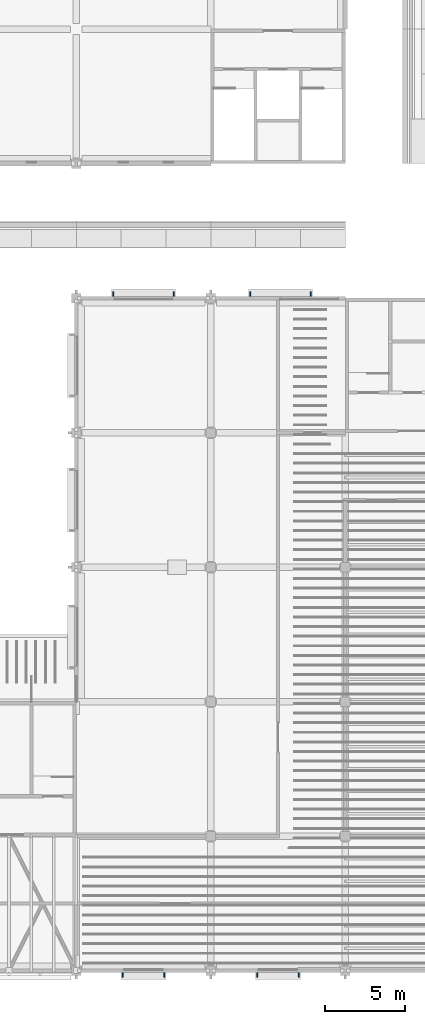
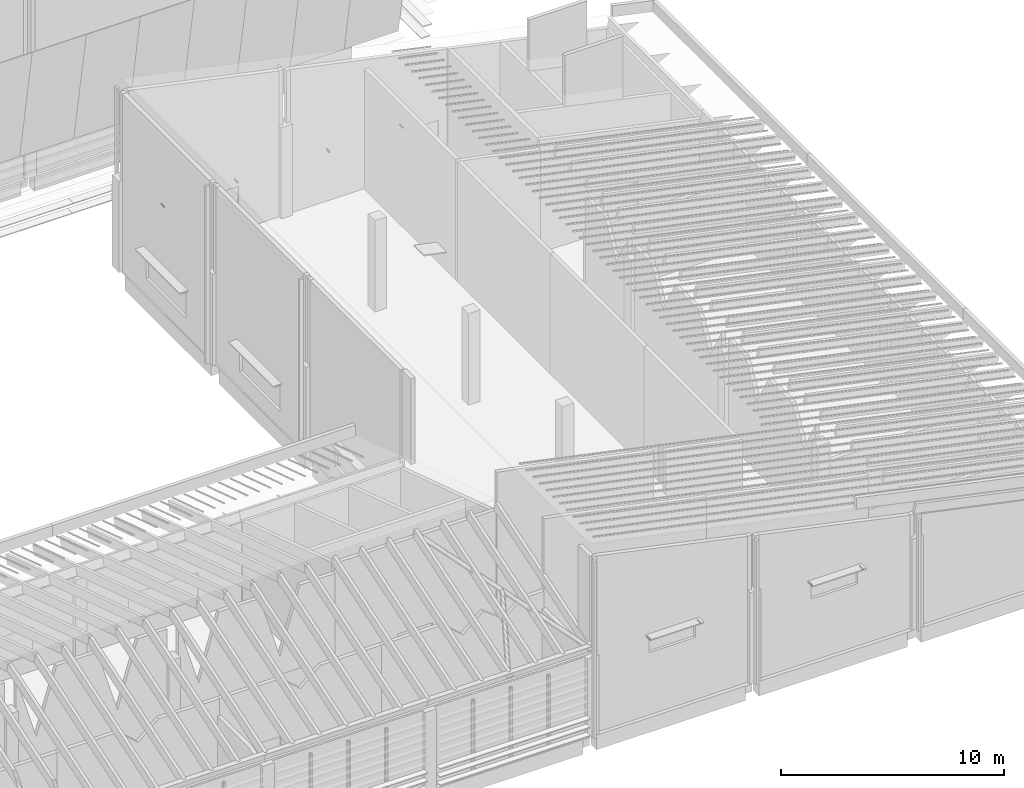
# One storey, part 34 of 59: 8 discrete accessories.
"""IFC4 building model written with IfcOpenShell, lengths in metres."""

from ifc_helpers import new_model, si_unit, direction, frame, origin, origin_2d, place, context, subcontext, project, spatial, rectangle, extrude, material, type_object, element, save


model = new_model("IFC4")

# Units and contexts
model_context = context("Model", 3, precision=1e-05, world=origin(), true_north=direction((0.0, 1.0)))
body_context = subcontext(model_context, "Body", "Model", "MODEL_VIEW")
ifc_project = project(units=[si_unit("LENGTHUNIT", "METRE"), si_unit("AREAUNIT", "SQUARE_METRE"), si_unit("VOLUMEUNIT", "CUBIC_METRE"), si_unit("PLANEANGLEUNIT", "RADIAN"), si_unit("MASSUNIT", "GRAM", prefix="KILO")], contexts=[model_context])

# Site, building, storey
site_placement = place(None, origin())
site = spatial("IfcSite", under=ifc_project, at=site_placement, CompositionType="ELEMENT")
building_placement = place(site_placement, origin())
building = spatial("IfcBuilding", under=site, at=building_placement, Name="Almond Square Museum", CompositionType="ELEMENT")
storey_placement = place(building_placement, frame((0.0, 0.0, 25.0)))
storey = spatial("IfcBuildingStorey", under=building, at=storey_placement, Name="L04", CompositionType="ELEMENT", Elevation=25.0)

# Discrete accessories
ifc_material = material(Name="Stainless steel", Category="steel")
discrete_accessory_type = type_object("IfcDiscreteAccessoryType", Name="Sun-shade blade bracket", PredefinedType="BRACKET", material=ifc_material)
for number, where, z_axis, x_axis, name in (
    (1, (134.89990234375, -0.258056640625, 4.296875), (0.0, 0.0, 1.0), (1.0, 0.0, 0.0), "Bracket sun-shade blade"),
    (2, (137.5, -0.258056640625, 4.296875), (0.0, 0.0, 1.0), (1.0, 0.0, 0.0), "Bracket sun-shade blade"),
    (3, (143.300048828125, -0.258056640625, 4.296875), (0.0, 0.0, 1.0), (1.0, 0.0, 0.0), "Bracket sun-shade blade"),
    (4, (145.89990234375, -0.258056640625, 4.296875), (0.0, 0.0, 1.0), (1.0, 0.0, 0.0), "Bracket sun-shade blade"),
    (5, (142.85009765625, 42.258056640625, 2.39697265625), (0.0, 0.0, 1.0), (1.0, 0.0, 0.0), "Bracket sun-shade blade"),
    (6, (146.64990234375, 42.258056640625, 2.39697265625), (0.0, 0.0, 1.0), (1.0, 0.0, 0.0), "Bracket sun-shade blade"),
    (7, (134.300048828125, 42.258056640625, 2.39697265625), (0.0, 0.0, 1.0), (1.0, 0.0, 0.0), "Bracket sun-shade blade"),
    (8, (138.10009765625, 42.258056640625, 2.39697265625), (0.0, 0.0, 1.0), (1.0, 0.0, 0.0), "Bracket sun-shade blade"),
):
    element("IfcDiscreteAccessory", number, at=place(storey_placement, frame(where, z_axis=z_axis, x_axis=x_axis)), inside=storey, type_object=discrete_accessory_type, Name=name, PredefinedType="BRACKET", context=body_context, shape_type="SweptSolid", body=[
        extrude(rectangle(XDim=0.06005859375, YDim=0.300048828125, at=origin_2d()), origin(), (0.0, 0.0, 1.0), 0.10009765625),
    ])

save(model, "model.ifc")
